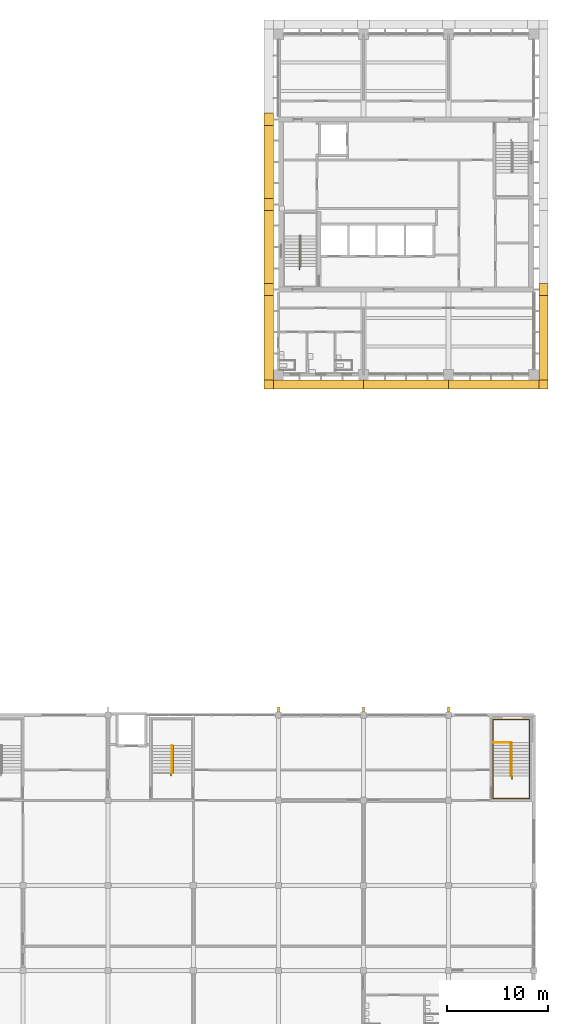
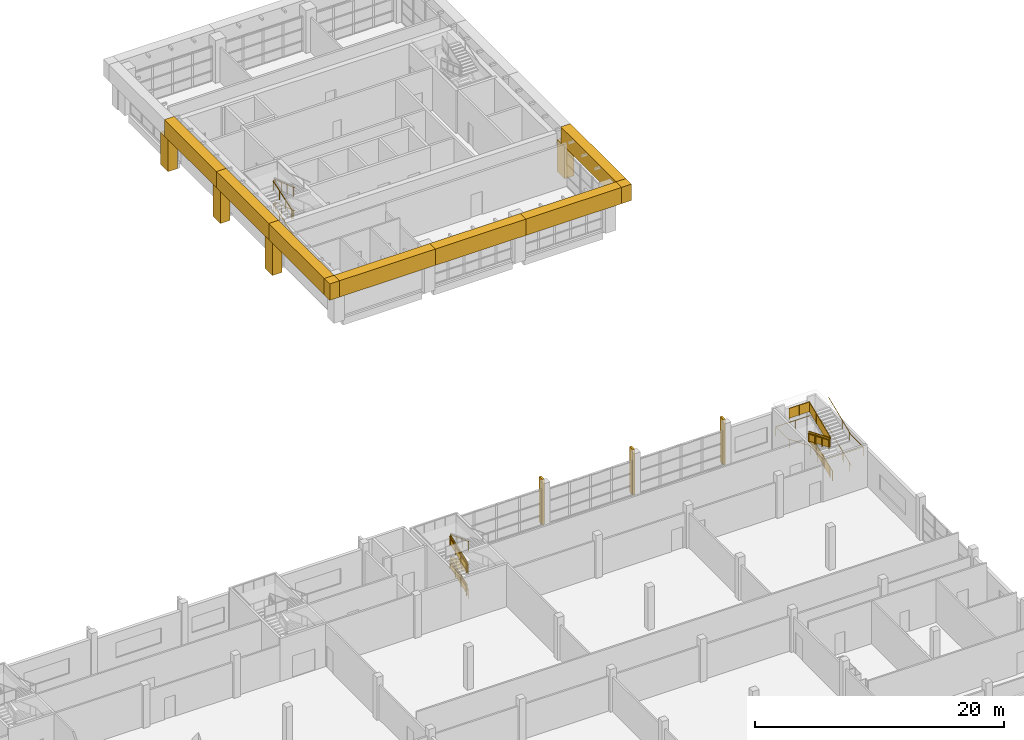
# One storey, part 51 of 56: 13 coverings, 10 railings, 3 shading devices.
"""IFC4 building model written with IfcOpenShell, lengths in metres."""

from ifc_helpers import new_model, si_unit, direction, frame, origin, origin_2d, place, context, subcontext, project, spatial, polyline, rectangle, circle, outline, extrude, material, material_profile, profile_set, type_object, element, save


model = new_model("IFC4")

# Units and contexts
model_context = context("Model", 3, precision=1e-05, world=origin(), true_north=direction((0.0, 1.0)))
body_context = subcontext(model_context, "Body", "Model", "MODEL_VIEW")
ifc_project = project(units=[si_unit("LENGTHUNIT", "METRE"), si_unit("AREAUNIT", "SQUARE_METRE"), si_unit("VOLUMEUNIT", "CUBIC_METRE"), si_unit("PLANEANGLEUNIT", "RADIAN"), si_unit("MASSUNIT", "GRAM", prefix="KILO")], contexts=[model_context])

# Site, building, storey
site_placement = place(None, origin())
site = spatial("IfcSite", under=ifc_project, at=site_placement, CompositionType="ELEMENT")
building_placement = place(site_placement, origin())
building = spatial("IfcBuilding", under=site, at=building_placement, Name="Rulbaag Community and Learning Centre", CompositionType="ELEMENT")
storey_placement = place(building_placement, frame((0.0, 0.0, 9.89990234375)))
storey = spatial("IfcBuildingStorey", under=building, at=storey_placement, Name="L02", CompositionType="ELEMENT", Elevation=9.89990234375)

# Coverings
ifc_material_1 = material(Name="Concrete M40", Category="concrete")
covering_type_1 = type_object("IfcCoveringType", Name="DB-1", PredefinedType="CLADDING", material=ifc_material_1)
covering_1_placement = place(storey_placement, frame((146.75, 83.050048828125, 2.900146484375), z_axis=(0.0, 0.0, 1.0), x_axis=(1.0, 0.0, 0.0)))
element("IfcCovering", 1, at=covering_1_placement, inside=storey, type_object=covering_type_1, Name="Datum band", PredefinedType="CLADDING", context=body_context, shape_type="SweptSolid", body=[
    extrude(rectangle(XDim=8.89990234375, YDim=0.89990234375, at=origin_2d()), origin(), (0.0, 0.0, 1.0), 1.60009765625),
])
covering_2_placement = place(storey_placement, frame((155.39990234375, 83.050048828125, 2.900146484375), z_axis=(0.0, 0.0, 1.0), x_axis=(1.0, 0.0, 0.0)))
element("IfcCovering", 2, at=covering_2_placement, inside=storey, type_object=covering_type_1, Name="Datum band", PredefinedType="CLADDING", context=body_context, shape_type="SweptSolid", body=[
    extrude(rectangle(XDim=8.39990234375, YDim=0.89990234375, at=origin_2d()), origin(), (0.0, 0.0, 1.0), 1.60009765625),
])
covering_3_placement = place(storey_placement, frame((164.050048828125, 83.050048828125, 2.900146484375), z_axis=(0.0, 0.0, 1.0), x_axis=(1.0, 0.0, 0.0)))
element("IfcCovering", 3, at=covering_3_placement, inside=storey, type_object=covering_type_1, Name="Datum band", PredefinedType="CLADDING", context=body_context, shape_type="SweptSolid", body=[
    extrude(rectangle(XDim=8.89990234375, YDim=0.89990234375, at=origin_2d()), origin(), (0.0, 0.0, 1.0), 1.60009765625),
])
covering_4_placement = place(storey_placement, frame((141.85009765625, 87.949951171875, 2.900146484375), z_axis=(0.0, 0.0, 1.0), x_axis=(1.0, 0.0, 0.0)))
element("IfcCovering", 4, at=covering_4_placement, inside=storey, type_object=covering_type_1, Name="Datum band", PredefinedType="CLADDING", context=body_context, shape_type="SweptSolid", body=[
    extrude(rectangle(XDim=0.89990234375, YDim=8.89990234375, at=origin_2d()), origin(), (0.0, 0.0, 1.0), 1.60009765625),
])
for number, where, z_axis, x_axis, name in (
    (5, (141.85009765625, 96.60009765625, 2.900146484375), (0.0, 0.0, 1.0), (1.0, 0.0, 0.0), "Datum band"),
    (6, (141.85009765625, 105.0, 2.900146484375), (0.0, 0.0, 1.0), (1.0, 0.0, 0.0), "Datum band"),
):
    element("IfcCovering", number, at=place(storey_placement, frame(where, z_axis=z_axis, x_axis=x_axis)), inside=storey, type_object=covering_type_1, Name=name, PredefinedType="CLADDING", context=body_context, shape_type="SweptSolid", body=[
        extrude(rectangle(XDim=0.89990234375, YDim=8.39990234375, at=origin_2d()), origin(), (0.0, 0.0, 1.0), 1.60009765625),
    ])
covering_5_placement = place(storey_placement, frame((168.949951171875, 87.949951171875, 2.900146484375), z_axis=(0.0, 0.0, 1.0), x_axis=(1.0, 0.0, 0.0)))
element("IfcCovering", 7, at=covering_5_placement, inside=storey, type_object=covering_type_1, Name="Datum band", PredefinedType="CLADDING", context=body_context, shape_type="SweptSolid", body=[
    extrude(rectangle(XDim=0.89990234375, YDim=8.89990234375, at=origin_2d()), origin(), (0.0, 0.0, 1.0), 1.60009765625),
])
for number, where, z_axis, x_axis, name in (
    (8, (141.85009765625, 83.050048828125, 2.900146484375), (0.0, 0.0, 1.0), (1.0, 0.0, 0.0), "Datum band corner"),
    (9, (168.949951171875, 83.050048828125, 2.900146484375), (0.0, 0.0, 1.0), (1.0, 0.0, 0.0), "Datum band corner"),
):
    element("IfcCovering", number, at=place(storey_placement, frame(where, z_axis=z_axis, x_axis=x_axis)), inside=storey, type_object=covering_type_1, Name=name, PredefinedType="CLADDING", context=body_context, shape_type="SweptSolid", body=[
        extrude(rectangle(XDim=0.89990234375, YDim=0.89990234375, at=origin_2d()), origin(), (0.0, 0.0, 1.0), 1.60009765625),
    ])

# Shading devices
ifc_material_profile = material_profile(ifc_material_1, rectangle(XDim=0.199951171875, YDim=0.5, at=origin_2d()), Name="PC 200x500")
ifc_profile_set = profile_set([ifc_material_profile], Name="Concrete M40")
shading_device_type = type_object("IfcShadingDeviceType", Name="FIN-D", PredefinedType="JALOUSIE", material=ifc_profile_set)
for number, where, z_axis, x_axis, name in (
    (10, (142.800048828125, 50.949951171875, -0.25), (0.0, 0.0, 1.0), (1.0, 0.0, 0.0), "Precast fin"),
    (11, (151.199951171875, 50.949951171875, -0.25), (0.0, 0.0, 1.0), (1.0, 0.0, 0.0), "Precast fin"),
    (12, (159.60009765625, 50.949951171875, -0.25), (0.0, 0.0, 1.0), (1.0, 0.0, 0.0), "Precast fin"),
):
    element("IfcShadingDevice", number, at=place(storey_placement, frame(where, z_axis=z_axis, x_axis=x_axis)), inside=storey, type_object=shading_device_type, Name=name, PredefinedType="JALOUSIE", context=body_context, shape_type="SweptSolid", body=[
        extrude(rectangle(XDim=0.199951171875, YDim=0.5, at=origin_2d()), origin(), (0.0, 0.0, 1.0), 4.4501953125),
    ])

# Railings
ifc_material_2 = material(Name="Galvanised mild steel", Category="steel")
railing_type_1 = type_object("IfcRailingType", Name="GR-1100 GUARD 1100", PredefinedType="GUARDRAIL", material=ifc_material_2)
railing_1_placement = place(storey_placement, frame((132.280029296875, 44.71240234375, 0.112548828125)))
element("IfcRailing", 13, at=railing_1_placement, inside=storey, type_object=railing_type_1, Name="Guard SH3 L02 G", PredefinedType="GUARDRAIL", context=body_context, shape_type="SweptSolid", body=[
    extrude(circle(Radius=0.02490234375, at=origin_2d()), frame((0.0, 0.0, 1.0751953125), z_axis=(0.0, 0.936343093598, 0.351086329941), x_axis=(-1.0, 0.0, 0.0)), (0.0, 0.0, 1.0), 2.8837890625),
    extrude(circle(Radius=0.02001953125, at=origin_2d()), origin(), (0.0, 0.0, 1.0), 1.050048828125),
    extrude(circle(Radius=0.02001953125, at=origin_2d()), frame((0.0, 0.900146484375, 0.33740234375)), (0.0, 0.0, 1.0), 1.050048828125),
    extrude(circle(Radius=0.02001953125, at=origin_2d()), frame((0.0, 1.800048828125, 0.675048828125)), (0.0, 0.0, 1.0), 1.050048828125),
    extrude(circle(Radius=0.02001953125, at=origin_2d()), frame((0.0, 2.7001953125, 1.012451171875)), (0.0, 0.0, 1.0), 1.050048828125),
    extrude(outline(polyline([(0.0, 0.0), (2.7001953125, 1.012451171875), (2.7001953125, 1.96240234375), (0.0, 0.949951171875), (0.0, 0.0)])), frame((-0.0048828125, 0.0, 0.10009765625), z_axis=(1.0, 0.0, 0.0), x_axis=(0.0, 1.0, 0.0)), (0.0, 0.0, 1.0), 0.010009765625),
])
railing_2_placement = place(storey_placement, frame((132.320068359375, 47.41259765625, 1.237548828125)))
element("IfcRailing", 14, at=railing_2_placement, inside=storey, type_object=railing_type_1, Name="Guard SH3 L02 G2", PredefinedType="GUARDRAIL", context=body_context, shape_type="SweptSolid", body=[
    extrude(circle(Radius=0.02490234375, at=origin_2d()), frame((0.0, 0.0, 1.0751953125), z_axis=(0.0, -0.936343093598, 0.351086329941), x_axis=(1.0, 0.0, 0.0)), (0.0, 0.0, 1.0), 2.8837890625),
    extrude(circle(Radius=0.02001953125, at=origin_2d()), origin(), (0.0, 0.0, 1.0), 1.050048828125),
    extrude(circle(Radius=0.02001953125, at=origin_2d()), frame((0.0, -0.900146484375, 0.33740234375)), (0.0, 0.0, 1.0), 1.050048828125),
    extrude(circle(Radius=0.02001953125, at=origin_2d()), frame((0.0, -1.800048828125, 0.675048828125)), (0.0, 0.0, 1.0), 1.050048828125),
    extrude(circle(Radius=0.02001953125, at=origin_2d()), frame((0.0, -2.7001953125, 1.012451171875)), (0.0, 0.0, 1.0), 1.050048828125),
    extrude(outline(polyline([(0.0, 0.0), (2.7001953125, 1.012451171875), (2.7001953125, 1.96240234375), (0.0, 0.949951171875), (0.0, 0.0)])), frame((0.0048828125, 0.0, 0.10009765625), z_axis=(-1.0, 0.0, 0.0), x_axis=(0.0, -1.0, 0.0)), (0.0, 0.0, 1.0), 0.010009765625),
])
railing_3_placement = place(storey_placement, frame((132.280029296875, 44.71240234375, 2.362548828125)))
element("IfcRailing", 15, at=railing_3_placement, inside=storey, type_object=railing_type_1, Name="Guard SH3 L02 G3", PredefinedType="GUARDRAIL", context=body_context, shape_type="SweptSolid", body=[
    extrude(circle(Radius=0.02490234375, at=origin_2d()), frame((0.0, 0.0, 1.0751953125), z_axis=(0.0, 0.936343093598, 0.351086329941), x_axis=(-1.0, 0.0, 0.0)), (0.0, 0.0, 1.0), 2.8837890625),
    extrude(circle(Radius=0.02001953125, at=origin_2d()), origin(), (0.0, 0.0, 1.0), 1.050048828125),
    extrude(circle(Radius=0.02001953125, at=origin_2d()), frame((0.0, 0.900146484375, 0.33740234375)), (0.0, 0.0, 1.0), 1.050048828125),
    extrude(circle(Radius=0.02001953125, at=origin_2d()), frame((0.0, 1.800048828125, 0.675048828125)), (0.0, 0.0, 1.0), 1.050048828125),
    extrude(circle(Radius=0.02001953125, at=origin_2d()), frame((0.0, 2.7001953125, 1.012451171875)), (0.0, 0.0, 1.0), 1.050048828125),
    extrude(outline(polyline([(0.0, 0.0), (2.7001953125, 1.012451171875), (2.7001953125, 1.96240234375), (0.0, 0.949951171875), (0.0, 0.0)])), frame((-0.0048828125, 0.0, 0.10009765625), z_axis=(1.0, 0.0, 0.0), x_axis=(0.0, 1.0, 0.0)), (0.0, 0.0, 1.0), 0.010009765625),
])
railing_4_placement = place(storey_placement, frame((165.782470703125, 44.41259765625, 0.125)))
element("IfcRailing", 16, at=railing_4_placement, inside=storey, type_object=railing_type_1, Name="Guard SH4 L02 G", PredefinedType="GUARDRAIL", context=body_context, shape_type="SweptSolid", body=[
    extrude(circle(Radius=0.02490234375, at=origin_2d()), frame((0.0, 0.0, 1.0751953125), z_axis=(0.0, 0.92306884068, 0.384634781793), x_axis=(-1.0, 0.0, 0.0)), (0.0, 0.0, 1.0), 3.57470703125),
    extrude(circle(Radius=0.02001953125, at=origin_2d()), origin(), (0.0, 0.0, 1.0), 1.050048828125),
    extrude(circle(Radius=0.02001953125, at=origin_2d()), frame((0.0, 1.099853515625, 0.458251953125)), (0.0, 0.0, 1.0), 1.050048828125),
    extrude(circle(Radius=0.02001953125, at=origin_2d()), frame((0.0, 2.199951171875, 0.916748046875)), (0.0, 0.0, 1.0), 1.050048828125),
    extrude(circle(Radius=0.02001953125, at=origin_2d()), frame((0.0, 3.2998046875, 1.375)), (0.0, 0.0, 1.0), 1.050048828125),
    extrude(outline(polyline([(0.0, 0.0), (3.2998046875, 1.375), (3.2998046875, 2.324951171875), (0.0, 0.949951171875), (0.0, 0.0)])), frame((-0.0048828125, 0.0, 0.10009765625), z_axis=(1.0, 0.0, 0.0), x_axis=(0.0, 1.0, 0.0)), (0.0, 0.0, 1.0), 0.010009765625),
])
railing_5_placement = place(storey_placement, frame((165.742431640625, 47.71240234375, 1.625)))
element("IfcRailing", 17, at=railing_5_placement, inside=storey, type_object=railing_type_1, Name="Guard SH4 L02 G2", PredefinedType="GUARDRAIL", context=body_context, shape_type="SweptSolid", body=[
    extrude(circle(Radius=0.02490234375, at=origin_2d()), frame((0.0, 0.0, 1.0751953125), z_axis=(0.0, -0.92306884068, 0.384634781793), x_axis=(1.0, 0.0, 0.0)), (0.0, 0.0, 1.0), 3.57470703125),
    extrude(circle(Radius=0.02001953125, at=origin_2d()), origin(), (0.0, 0.0, 1.0), 1.050048828125),
    extrude(circle(Radius=0.02001953125, at=origin_2d()), frame((0.0, -1.099853515625, 0.458251953125)), (0.0, 0.0, 1.0), 1.050048828125),
    extrude(circle(Radius=0.02001953125, at=origin_2d()), frame((0.0, -2.199951171875, 0.916748046875)), (0.0, 0.0, 1.0), 1.050048828125),
    extrude(circle(Radius=0.02001953125, at=origin_2d()), frame((0.0, -3.2998046875, 1.375)), (0.0, 0.0, 1.0), 1.050048828125),
    extrude(outline(polyline([(0.0, 0.0), (3.2998046875, 1.375), (3.2998046875, 2.324951171875), (0.0, 0.949951171875), (0.0, 0.0)])), frame((0.0048828125, 0.0, 0.10009765625), z_axis=(-1.0, 0.0, 0.0), x_axis=(0.0, -1.0, 0.0)), (0.0, 0.0, 1.0), 0.010009765625),
])
railing_6_placement = place(storey_placement, frame((165.782470703125, 44.41259765625, 3.125)))
element("IfcRailing", 18, at=railing_6_placement, inside=storey, type_object=railing_type_1, Name="Guard SH4 L02 G3", PredefinedType="GUARDRAIL", context=body_context, shape_type="SweptSolid", body=[
    extrude(circle(Radius=0.02490234375, at=origin_2d()), frame((0.0, 0.0, 1.0751953125), z_axis=(0.0, 0.92306884068, 0.384634781793), x_axis=(-1.0, 0.0, 0.0)), (0.0, 0.0, 1.0), 3.57470703125),
    extrude(circle(Radius=0.02490234375, at=origin_2d()), frame((0.0, 3.2998046875, 2.4501953125), z_axis=(-1.0, 0.0, 0.0), x_axis=(0.0, -1.0, 0.0)), (0.0, 0.0, 1.0), 1.882568359375),
    extrude(circle(Radius=0.02001953125, at=origin_2d()), origin(), (0.0, 0.0, 1.0), 1.050048828125),
    extrude(circle(Radius=0.02001953125, at=origin_2d()), frame((0.0, 1.099853515625, 0.458251953125)), (0.0, 0.0, 1.0), 1.050048828125),
    extrude(circle(Radius=0.02001953125, at=origin_2d()), frame((0.0, 2.199951171875, 0.916748046875)), (0.0, 0.0, 1.0), 1.050048828125),
    extrude(circle(Radius=0.02001953125, at=origin_2d()), frame((0.0, 3.2998046875, 1.375)), (0.0, 0.0, 1.0), 1.050048828125),
    extrude(circle(Radius=0.02001953125, at=origin_2d()), frame((-0.94140625, 3.2998046875, 1.375)), (0.0, 0.0, 1.0), 1.050048828125),
    extrude(circle(Radius=0.02001953125, at=origin_2d()), frame((-1.882568359375, 3.2998046875, 1.375)), (0.0, 0.0, 1.0), 1.050048828125),
    extrude(outline(polyline([(0.0, 0.0), (3.2998046875, 1.375), (3.2998046875, 2.324951171875), (0.0, 0.949951171875), (0.0, 0.0)])), frame((-0.0048828125, 0.0, 0.10009765625), z_axis=(1.0, 0.0, 0.0), x_axis=(0.0, 1.0, 0.0)), (0.0, 0.0, 1.0), 0.010009765625),
    extrude(outline(polyline([(0.0, 0.0), (1.882568359375, 0.0), (1.882568359375, 0.949951171875), (0.0, 0.949951171875), (0.0, 0.0)])), frame((0.0, 3.294921875, 1.47509765625), z_axis=(0.0, 1.0, 0.0), x_axis=(-1.0, 0.0, 0.0)), (0.0, 0.0, 1.0), 0.010009765625),
])
ifc_material_3 = material(Name="Stainless steel grade 316", Category="steel")
railing_type_2 = type_object("IfcRailingType", Name="HR-900 HANDRAIL 900", PredefinedType="HANDRAIL", material=ifc_material_3)
railing_7_placement = place(storey_placement, frame((132.2099609375, 44.41259765625, 0.0)))
element("IfcRailing", 19, at=railing_7_placement, inside=storey, type_object=railing_type_2, Name="Handrail SH3 L02 I", PredefinedType="HANDRAIL", context=body_context, shape_type="SweptSolid", body=[
    extrude(circle(Radius=0.024169921875, at=origin_2d()), frame((0.0, 0.0, 0.875732421875), z_axis=(0.0, 0.936203795034, 0.351457613608), x_axis=(-1.0, 0.0, 0.0)), (0.0, 0.0, 1.0), 0.3203125),
    extrude(circle(Radius=0.024169921875, at=origin_2d()), frame((0.0, 0.2998046875, 0.98828125), z_axis=(0.0, 0.936343093598, 0.351086329941), x_axis=(-1.0, 0.0, 0.0)), (0.0, 0.0, 1.0), 2.8837890625),
    extrude(circle(Radius=0.024169921875, at=origin_2d()), frame((0.0, 3.0, 2.000732421875), z_axis=(0.847804368873, 0.0, 0.530309109973), x_axis=(0.0, 1.0, 0.0)), (0.0, 0.0, 1.0), 0.212158203125),
    extrude(circle(Radius=0.024169921875, at=origin_2d()), frame((0.179931640625, 3.0, 2.11328125), z_axis=(0.0, -0.936343093598, 0.351086329941), x_axis=(1.0, 0.0, 0.0)), (0.0, 0.0, 1.0), 2.8837890625),
    extrude(circle(Radius=0.024169921875, at=origin_2d()), frame((0.179931640625, 0.2998046875, 3.125732421875), z_axis=(-0.847804368873, 0.0, 0.530309109973), x_axis=(0.0, -1.0, 0.0)), (0.0, 0.0, 1.0), 0.212158203125),
    extrude(circle(Radius=0.024169921875, at=origin_2d()), frame((0.0, 0.2998046875, 3.23828125), z_axis=(0.0, 0.936343093598, 0.351086329941), x_axis=(-1.0, 0.0, 0.0)), (0.0, 0.0, 1.0), 2.8837890625),
    extrude(circle(Radius=0.024169921875, at=origin_2d()), frame((0.0, 3.0, 4.250732421875), z_axis=(0.847804368873, 0.0, 0.530309109973), x_axis=(0.0, 1.0, 0.0)), (0.0, 0.0, 1.0), 0.212158203125),
    extrude(circle(Radius=0.024169921875, at=origin_2d()), frame((0.179931640625, 3.0, 4.36328125), z_axis=(0.0, -0.936343093598, 0.351086329941), x_axis=(1.0, 0.0, 0.0)), (0.0, 0.0, 1.0), 2.8837890625),
    extrude(circle(Radius=0.008056640625, at=origin_2d()), origin(), (0.0, 0.0, 1.0), 0.8515625),
    extrude(circle(Radius=0.008056640625, at=origin_2d()), frame((0.0, 0.2998046875, 0.112548828125)), (0.0, 0.0, 1.0), 0.8515625),
    extrude(circle(Radius=0.008056640625, at=origin_2d()), frame((0.0, 1.199951171875, 0.449951171875)), (0.0, 0.0, 1.0), 0.8515625),
    extrude(circle(Radius=0.008056640625, at=origin_2d()), frame((0.0, 2.099853515625, 0.78759765625)), (0.0, 0.0, 1.0), 0.8515625),
    extrude(circle(Radius=0.008056640625, at=origin_2d()), frame((0.0, 3.0, 1.125)), (0.0, 0.0, 1.0), 0.8515625),
    extrude(circle(Radius=0.008056640625, at=origin_2d()), frame((0.179931640625, 3.0, 1.237548828125)), (0.0, 0.0, 1.0), 0.8515625),
    extrude(circle(Radius=0.008056640625, at=origin_2d()), frame((0.179931640625, 2.099853515625, 1.574951171875)), (0.0, 0.0, 1.0), 0.8515625),
    extrude(circle(Radius=0.008056640625, at=origin_2d()), frame((0.179931640625, 1.199951171875, 1.91259765625)), (0.0, 0.0, 1.0), 0.8515625),
    extrude(circle(Radius=0.008056640625, at=origin_2d()), frame((0.179931640625, 0.2998046875, 2.25)), (0.0, 0.0, 1.0), 0.8515625),
    extrude(circle(Radius=0.008056640625, at=origin_2d()), frame((0.0, 0.2998046875, 2.362548828125)), (0.0, 0.0, 1.0), 0.8515625),
    extrude(circle(Radius=0.008056640625, at=origin_2d()), frame((0.0, 1.199951171875, 2.699951171875)), (0.0, 0.0, 1.0), 0.8515625),
    extrude(circle(Radius=0.008056640625, at=origin_2d()), frame((0.0, 2.099853515625, 3.03759765625)), (0.0, 0.0, 1.0), 0.8515625),
    extrude(circle(Radius=0.008056640625, at=origin_2d()), frame((0.0, 3.0, 3.375)), (0.0, 0.0, 1.0), 0.8515625),
    extrude(circle(Radius=0.008056640625, at=origin_2d()), frame((0.179931640625, 3.0, 3.487548828125)), (0.0, 0.0, 1.0), 0.8515625),
    extrude(circle(Radius=0.008056640625, at=origin_2d()), frame((0.179931640625, 2.099853515625, 3.824951171875)), (0.0, 0.0, 1.0), 0.8515625),
    extrude(circle(Radius=0.008056640625, at=origin_2d()), frame((0.179931640625, 1.199951171875, 4.16259765625)), (0.0, 0.0, 1.0), 0.8515625),
    extrude(circle(Radius=0.008056640625, at=origin_2d()), frame((0.179931640625, 0.2998046875, 4.5)), (0.0, 0.0, 1.0), 0.8515625),
])
railing_8_placement = place(storey_placement, frame((167.56494140625, 44.112548828125, 0.0)))
element("IfcRailing", 20, at=railing_8_placement, inside=storey, type_object=railing_type_2, Name="Handrail SH4 L02 O", PredefinedType="HANDRAIL", context=body_context, shape_type="SweptSolid", body=[
    extrude(circle(Radius=0.024169921875, at=origin_2d()), frame((0.0, 0.0, 0.875732421875), z_axis=(0.0, 0.923099143363, 0.384562051588), x_axis=(-1.0, 0.0, 0.0)), (0.0, 0.0, 1.0), 0.324951171875),
    extrude(circle(Radius=0.024169921875, at=origin_2d()), frame((0.0, 0.300048828125, 1.000732421875), z_axis=(0.0, 0.92306884068, 0.384634781793), x_axis=(-1.0, 0.0, 0.0)), (0.0, 0.0, 1.0), 3.57470703125),
    extrude(circle(Radius=0.024169921875, at=origin_2d()), frame((0.0, 3.599853515625, 2.375732421875), z_axis=(0.0, 1.0, 0.0), x_axis=(-1.0, 0.0, 0.0)), (0.0, 0.0, 1.0), 2.252685546875),
    extrude(circle(Radius=0.024169921875, at=origin_2d()), frame((0.0, 5.8525390625, 2.375732421875), z_axis=(-1.0, 0.0, 0.0), x_axis=(0.0, -1.0, 0.0)), (0.0, 0.0, 1.0), 3.60498046875),
    extrude(circle(Radius=0.024169921875, at=origin_2d()), frame((-3.60498046875, 5.8525390625, 2.375732421875), z_axis=(0.0, -1.0, 0.0), x_axis=(1.0, 0.0, 0.0)), (0.0, 0.0, 1.0), 1.95263671875),
    extrude(circle(Radius=0.024169921875, at=origin_2d()), frame((-3.60498046875, 3.89990234375, 2.375732421875), z_axis=(0.0, -0.923099143363, 0.384562051588), x_axis=(1.0, 0.0, 0.0)), (0.0, 0.0, 1.0), 0.324951171875),
    extrude(circle(Radius=0.024169921875, at=origin_2d()), frame((-3.60498046875, 3.599853515625, 2.500732421875), z_axis=(0.0, -0.92306884068, 0.384634781793), x_axis=(1.0, 0.0, 0.0)), (0.0, 0.0, 1.0), 3.57470703125),
    extrude(circle(Radius=0.024169921875, at=origin_2d()), frame((-3.60498046875, 0.300048828125, 3.875732421875), z_axis=(0.0, -1.0, 0.0), x_axis=(1.0, 0.0, 0.0)), (0.0, 0.0, 1.0), 2.252685546875),
    extrude(circle(Radius=0.024169921875, at=origin_2d()), frame((-3.60498046875, -1.95263671875, 3.875732421875), z_axis=(1.0, 0.0, 0.0), x_axis=(0.0, 1.0, 0.0)), (0.0, 0.0, 1.0), 3.60498046875),
    extrude(circle(Radius=0.024169921875, at=origin_2d()), frame((0.0, -1.95263671875, 3.875732421875), z_axis=(0.0, 1.0, 0.0), x_axis=(-1.0, 0.0, 0.0)), (0.0, 0.0, 1.0), 1.95263671875),
    extrude(circle(Radius=0.024169921875, at=origin_2d()), frame((0.0, 0.0, 3.875732421875), z_axis=(0.0, 0.923099143363, 0.384562051588), x_axis=(-1.0, 0.0, 0.0)), (0.0, 0.0, 1.0), 0.324951171875),
    extrude(circle(Radius=0.024169921875, at=origin_2d()), frame((0.0, 0.300048828125, 4.000732421875), z_axis=(0.0, 0.92306884068, 0.384634781793), x_axis=(-1.0, 0.0, 0.0)), (0.0, 0.0, 1.0), 3.57470703125),
    extrude(circle(Radius=0.008056640625, at=origin_2d()), origin(), (0.0, 0.0, 1.0), 0.8515625),
    extrude(circle(Radius=0.008056640625, at=origin_2d()), frame((0.0, 0.300048828125, 0.125)), (0.0, 0.0, 1.0), 0.8515625),
    extrude(circle(Radius=0.008056640625, at=origin_2d()), frame((0.0, 1.39990234375, 0.583251953125)), (0.0, 0.0, 1.0), 0.8515625),
    extrude(circle(Radius=0.008056640625, at=origin_2d()), frame((0.0, 2.5, 1.041748046875)), (0.0, 0.0, 1.0), 0.8515625),
    extrude(circle(Radius=0.008056640625, at=origin_2d()), frame((0.0, 3.599853515625, 1.5)), (0.0, 0.0, 1.0), 0.8515625),
    extrude(circle(Radius=0.008056640625, at=origin_2d()), frame((0.0, 4.72607421875, 1.5)), (0.0, 0.0, 1.0), 0.8515625),
    extrude(circle(Radius=0.008056640625, at=origin_2d()), frame((0.0, 5.8525390625, 1.5)), (0.0, 0.0, 1.0), 0.8515625),
    extrude(circle(Radius=0.008056640625, at=origin_2d()), frame((-0.9013671875, 5.8525390625, 1.5)), (0.0, 0.0, 1.0), 0.8515625),
    extrude(circle(Radius=0.008056640625, at=origin_2d()), frame((-1.802490234375, 5.8525390625, 1.5)), (0.0, 0.0, 1.0), 0.8515625),
    extrude(circle(Radius=0.008056640625, at=origin_2d()), frame((-2.70361328125, 5.8525390625, 1.5)), (0.0, 0.0, 1.0), 0.8515625),
    extrude(circle(Radius=0.008056640625, at=origin_2d()), frame((-3.60498046875, 5.8525390625, 1.5)), (0.0, 0.0, 1.0), 0.8515625),
    extrude(circle(Radius=0.008056640625, at=origin_2d()), frame((-3.60498046875, 4.876220703125, 1.5)), (0.0, 0.0, 1.0), 0.8515625),
    extrude(circle(Radius=0.008056640625, at=origin_2d()), frame((-3.60498046875, 3.89990234375, 1.5)), (0.0, 0.0, 1.0), 0.8515625),
    extrude(circle(Radius=0.008056640625, at=origin_2d()), frame((-3.60498046875, 3.599853515625, 1.625)), (0.0, 0.0, 1.0), 0.8515625),
    extrude(circle(Radius=0.008056640625, at=origin_2d()), frame((-3.60498046875, 2.5, 2.083251953125)), (0.0, 0.0, 1.0), 0.8515625),
    extrude(circle(Radius=0.008056640625, at=origin_2d()), frame((-3.60498046875, 1.39990234375, 2.541748046875)), (0.0, 0.0, 1.0), 0.8515625),
    extrude(circle(Radius=0.008056640625, at=origin_2d()), frame((-3.60498046875, 0.300048828125, 3.0)), (0.0, 0.0, 1.0), 0.8515625),
    extrude(circle(Radius=0.008056640625, at=origin_2d()), frame((-3.60498046875, -0.826171875, 3.0)), (0.0, 0.0, 1.0), 0.8515625),
    extrude(circle(Radius=0.008056640625, at=origin_2d()), frame((-3.60498046875, -1.95263671875, 3.0)), (0.0, 0.0, 1.0), 0.8515625),
    extrude(circle(Radius=0.008056640625, at=origin_2d()), frame((-2.70361328125, -1.95263671875, 3.0)), (0.0, 0.0, 1.0), 0.8515625),
    extrude(circle(Radius=0.008056640625, at=origin_2d()), frame((-1.802490234375, -1.95263671875, 3.0)), (0.0, 0.0, 1.0), 0.8515625),
    extrude(circle(Radius=0.008056640625, at=origin_2d()), frame((-0.9013671875, -1.95263671875, 3.0)), (0.0, 0.0, 1.0), 0.8515625),
    extrude(circle(Radius=0.008056640625, at=origin_2d()), frame((0.0, -1.95263671875, 3.0)), (0.0, 0.0, 1.0), 0.8515625),
    extrude(circle(Radius=0.008056640625, at=origin_2d()), frame((0.0, -0.976318359375, 3.0)), (0.0, 0.0, 1.0), 0.8515625),
    extrude(circle(Radius=0.008056640625, at=origin_2d()), frame((0.0, 0.0, 3.0)), (0.0, 0.0, 1.0), 0.8515625),
    extrude(circle(Radius=0.008056640625, at=origin_2d()), frame((0.0, 0.300048828125, 3.125)), (0.0, 0.0, 1.0), 0.8515625),
    extrude(circle(Radius=0.008056640625, at=origin_2d()), frame((0.0, 1.39990234375, 3.583251953125)), (0.0, 0.0, 1.0), 0.8515625),
    extrude(circle(Radius=0.008056640625, at=origin_2d()), frame((0.0, 2.5, 4.041748046875)), (0.0, 0.0, 1.0), 0.8515625),
    extrude(circle(Radius=0.008056640625, at=origin_2d()), frame((0.0, 3.599853515625, 4.5)), (0.0, 0.0, 1.0), 0.8515625),
])
railing_9_placement = place(storey_placement, frame((165.8525390625, 44.112548828125, 0.0)))
element("IfcRailing", 21, at=railing_9_placement, inside=storey, type_object=railing_type_2, Name="Handrail SH4 L02 I", PredefinedType="HANDRAIL", context=body_context, shape_type="SweptSolid", body=[
    extrude(circle(Radius=0.024169921875, at=origin_2d()), frame((0.0, 0.0, 0.875732421875), z_axis=(0.0, 0.923099143363, 0.384562051588), x_axis=(-1.0, 0.0, 0.0)), (0.0, 0.0, 1.0), 0.324951171875),
    extrude(circle(Radius=0.024169921875, at=origin_2d()), frame((0.0, 0.300048828125, 1.000732421875), z_axis=(0.0, 0.92306884068, 0.384634781793), x_axis=(-1.0, 0.0, 0.0)), (0.0, 0.0, 1.0), 3.57470703125),
    extrude(circle(Radius=0.024169921875, at=origin_2d()), frame((0.0, 3.599853515625, 2.375732421875), z_axis=(-0.821268438107, 0.0, 0.570541981426), x_axis=(0.0, -1.0, 0.0)), (0.0, 0.0, 1.0), 0.218994140625),
    extrude(circle(Radius=0.024169921875, at=origin_2d()), frame((-0.179931640625, 3.599853515625, 2.500732421875), z_axis=(0.0, -0.92306884068, 0.384634781793), x_axis=(1.0, 0.0, 0.0)), (0.0, 0.0, 1.0), 3.57470703125),
    extrude(circle(Radius=0.024169921875, at=origin_2d()), frame((-0.179931640625, 0.300048828125, 3.875732421875), z_axis=(0.821268438107, 0.0, 0.570541981426), x_axis=(0.0, 1.0, 0.0)), (0.0, 0.0, 1.0), 0.218994140625),
    extrude(circle(Radius=0.024169921875, at=origin_2d()), frame((0.0, 0.300048828125, 4.000732421875), z_axis=(0.0, 0.92306884068, 0.384634781793), x_axis=(-1.0, 0.0, 0.0)), (0.0, 0.0, 1.0), 3.57470703125),
    extrude(circle(Radius=0.008056640625, at=origin_2d()), origin(), (0.0, 0.0, 1.0), 0.8515625),
    extrude(circle(Radius=0.008056640625, at=origin_2d()), frame((0.0, 0.300048828125, 0.125)), (0.0, 0.0, 1.0), 0.8515625),
    extrude(circle(Radius=0.008056640625, at=origin_2d()), frame((0.0, 1.39990234375, 0.583251953125)), (0.0, 0.0, 1.0), 0.8515625),
    extrude(circle(Radius=0.008056640625, at=origin_2d()), frame((0.0, 2.5, 1.041748046875)), (0.0, 0.0, 1.0), 0.8515625),
    extrude(circle(Radius=0.008056640625, at=origin_2d()), frame((0.0, 3.599853515625, 1.5)), (0.0, 0.0, 1.0), 0.8515625),
    extrude(circle(Radius=0.008056640625, at=origin_2d()), frame((-0.179931640625, 3.599853515625, 1.625)), (0.0, 0.0, 1.0), 0.8515625),
    extrude(circle(Radius=0.008056640625, at=origin_2d()), frame((-0.179931640625, 2.5, 2.083251953125)), (0.0, 0.0, 1.0), 0.8515625),
    extrude(circle(Radius=0.008056640625, at=origin_2d()), frame((-0.179931640625, 1.39990234375, 2.541748046875)), (0.0, 0.0, 1.0), 0.8515625),
    extrude(circle(Radius=0.008056640625, at=origin_2d()), frame((-0.179931640625, 0.300048828125, 3.0)), (0.0, 0.0, 1.0), 0.8515625),
    extrude(circle(Radius=0.008056640625, at=origin_2d()), frame((0.0, 0.300048828125, 3.125)), (0.0, 0.0, 1.0), 0.8515625),
    extrude(circle(Radius=0.008056640625, at=origin_2d()), frame((0.0, 1.39990234375, 3.583251953125)), (0.0, 0.0, 1.0), 0.8515625),
    extrude(circle(Radius=0.008056640625, at=origin_2d()), frame((0.0, 2.5, 4.041748046875)), (0.0, 0.0, 1.0), 0.8515625),
    extrude(circle(Radius=0.008056640625, at=origin_2d()), frame((0.0, 3.599853515625, 4.5)), (0.0, 0.0, 1.0), 0.8515625),
])
railing_10_placement = place(storey_placement, frame((144.860107421875, 94.375, 0.0)))
element("IfcRailing", 22, at=railing_10_placement, inside=storey, type_object=railing_type_2, Name="Handrail ST1 L02 I", PredefinedType="HANDRAIL", context=body_context, shape_type="SweptSolid", body=[
    extrude(circle(Radius=0.024169921875, at=origin_2d()), frame((0.0, 0.0, 0.875732421875), z_axis=(0.0, 0.946504842313, 0.322689608567), x_axis=(-1.0, 0.0, 0.0)), (0.0, 0.0, 1.0), 0.31689453125),
    extrude(circle(Radius=0.024169921875, at=origin_2d()), frame((0.0, 0.300048828125, 0.97802734375), z_axis=(0.0, 0.946512326817, 0.322667654381), x_axis=(-1.0, 0.0, 0.0)), (0.0, 0.0, 1.0), 3.16943359375),
    extrude(circle(Radius=0.024169921875, at=origin_2d()), frame((0.0, 3.300048828125, 2.000732421875), z_axis=(0.869329868598, 0.0, 0.494232313355), x_axis=(0.0, 1.0, 0.0)), (0.0, 0.0, 1.0), 0.20703125),
    extrude(circle(Radius=0.024169921875, at=origin_2d()), frame((0.179931640625, 3.300048828125, 2.10302734375), z_axis=(0.0, -0.946512326817, 0.322667654381), x_axis=(1.0, 0.0, 0.0)), (0.0, 0.0, 1.0), 3.16943359375),
    extrude(circle(Radius=0.024169921875, at=origin_2d()), frame((0.179931640625, 0.300048828125, 3.125732421875), z_axis=(-0.869329868598, 0.0, 0.494232313355), x_axis=(0.0, -1.0, 0.0)), (0.0, 0.0, 1.0), 0.20703125),
    extrude(circle(Radius=0.024169921875, at=origin_2d()), frame((0.0, 0.300048828125, 3.22802734375), z_axis=(0.0, 0.946512326817, 0.322667654381), x_axis=(-1.0, 0.0, 0.0)), (0.0, 0.0, 1.0), 3.16943359375),
    extrude(circle(Radius=0.024169921875, at=origin_2d()), frame((0.0, 3.300048828125, 4.250732421875), z_axis=(0.869329868598, 0.0, 0.494232313355), x_axis=(0.0, 1.0, 0.0)), (0.0, 0.0, 1.0), 0.20703125),
    extrude(circle(Radius=0.024169921875, at=origin_2d()), frame((0.179931640625, 3.300048828125, 4.35302734375), z_axis=(0.0, -0.946512326817, 0.322667654381), x_axis=(1.0, 0.0, 0.0)), (0.0, 0.0, 1.0), 3.16943359375),
    extrude(circle(Radius=0.008056640625, at=origin_2d()), origin(), (0.0, 0.0, 1.0), 0.8515625),
    extrude(circle(Radius=0.008056640625, at=origin_2d()), frame((0.0, 0.300048828125, 0.102294921875)), (0.0, 0.0, 1.0), 0.8515625),
    extrude(circle(Radius=0.008056640625, at=origin_2d()), frame((0.0, 1.300048828125, 0.443115234375)), (0.0, 0.0, 1.0), 0.8515625),
    extrude(circle(Radius=0.008056640625, at=origin_2d()), frame((0.0, 2.300048828125, 0.7841796875)), (0.0, 0.0, 1.0), 0.8515625),
    extrude(circle(Radius=0.008056640625, at=origin_2d()), frame((0.0, 3.300048828125, 1.125)), (0.0, 0.0, 1.0), 0.8515625),
    extrude(circle(Radius=0.008056640625, at=origin_2d()), frame((0.179931640625, 3.300048828125, 1.227294921875)), (0.0, 0.0, 1.0), 0.8515625),
    extrude(circle(Radius=0.008056640625, at=origin_2d()), frame((0.179931640625, 2.300048828125, 1.568115234375)), (0.0, 0.0, 1.0), 0.8515625),
    extrude(circle(Radius=0.008056640625, at=origin_2d()), frame((0.179931640625, 1.300048828125, 1.9091796875)), (0.0, 0.0, 1.0), 0.8515625),
    extrude(circle(Radius=0.008056640625, at=origin_2d()), frame((0.179931640625, 0.300048828125, 2.25)), (0.0, 0.0, 1.0), 0.8515625),
    extrude(circle(Radius=0.008056640625, at=origin_2d()), frame((0.0, 0.300048828125, 2.352294921875)), (0.0, 0.0, 1.0), 0.8515625),
    extrude(circle(Radius=0.008056640625, at=origin_2d()), frame((0.0, 1.300048828125, 2.693115234375)), (0.0, 0.0, 1.0), 0.8515625),
    extrude(circle(Radius=0.008056640625, at=origin_2d()), frame((0.0, 2.300048828125, 3.0341796875)), (0.0, 0.0, 1.0), 0.8515625),
    extrude(circle(Radius=0.008056640625, at=origin_2d()), frame((0.0, 3.300048828125, 3.375)), (0.0, 0.0, 1.0), 0.8515625),
    extrude(circle(Radius=0.008056640625, at=origin_2d()), frame((0.179931640625, 3.300048828125, 3.477294921875)), (0.0, 0.0, 1.0), 0.8515625),
    extrude(circle(Radius=0.008056640625, at=origin_2d()), frame((0.179931640625, 2.300048828125, 3.818115234375)), (0.0, 0.0, 1.0), 0.8515625),
    extrude(circle(Radius=0.008056640625, at=origin_2d()), frame((0.179931640625, 1.300048828125, 4.1591796875)), (0.0, 0.0, 1.0), 0.8515625),
    extrude(circle(Radius=0.008056640625, at=origin_2d()), frame((0.179931640625, 0.300048828125, 4.5)), (0.0, 0.0, 1.0), 0.8515625),
])

# Coverings
covering_type_2 = type_object("IfcCoveringType", Name="PR-1", PredefinedType="CLADDING", material=ifc_material_1)
for number, where, z_axis, x_axis, name in (
    (23, (141.85009765625, 92.39990234375, -0.249755859375), (0.0, 0.0, 1.0), (1.0, 0.0, 0.0), "Base pier"),
    (24, (141.85009765625, 100.800048828125, -0.249755859375), (0.0, 0.0, 1.0), (1.0, 0.0, 0.0), "Base pier"),
    (25, (141.85009765625, 109.199951171875, -0.249755859375), (0.0, 0.0, 1.0), (1.0, 0.0, 0.0), "Base pier"),
    (26, (168.949951171875, 92.39990234375, -0.249755859375), (0.0, 0.0, 1.0), (1.0, 0.0, 0.0), "Base pier"),
):
    element("IfcCovering", number, at=place(storey_placement, frame(where, z_axis=z_axis, x_axis=x_axis)), inside=storey, type_object=covering_type_2, Name=name, PredefinedType="CLADDING", context=body_context, shape_type="SweptSolid", body=[
        extrude(rectangle(XDim=0.89990234375, YDim=1.199951171875, at=origin_2d()), origin(), (0.0, 0.0, 1.0), 3.14990234375),
    ])

save(model, "model.ifc")
